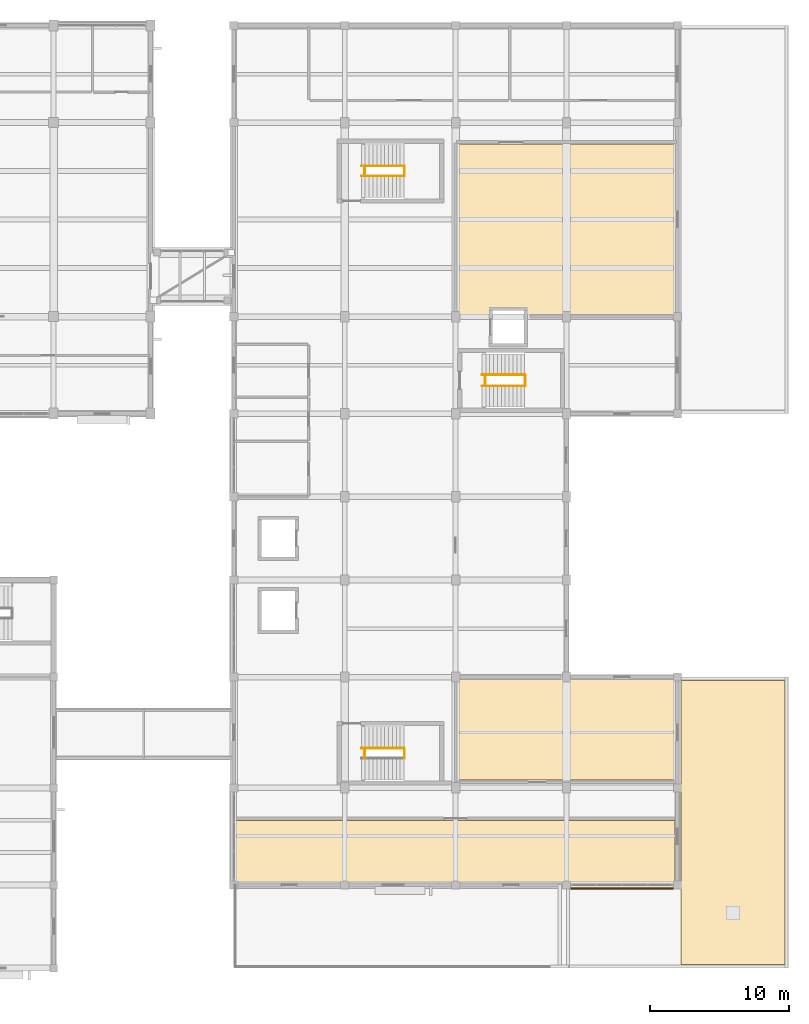
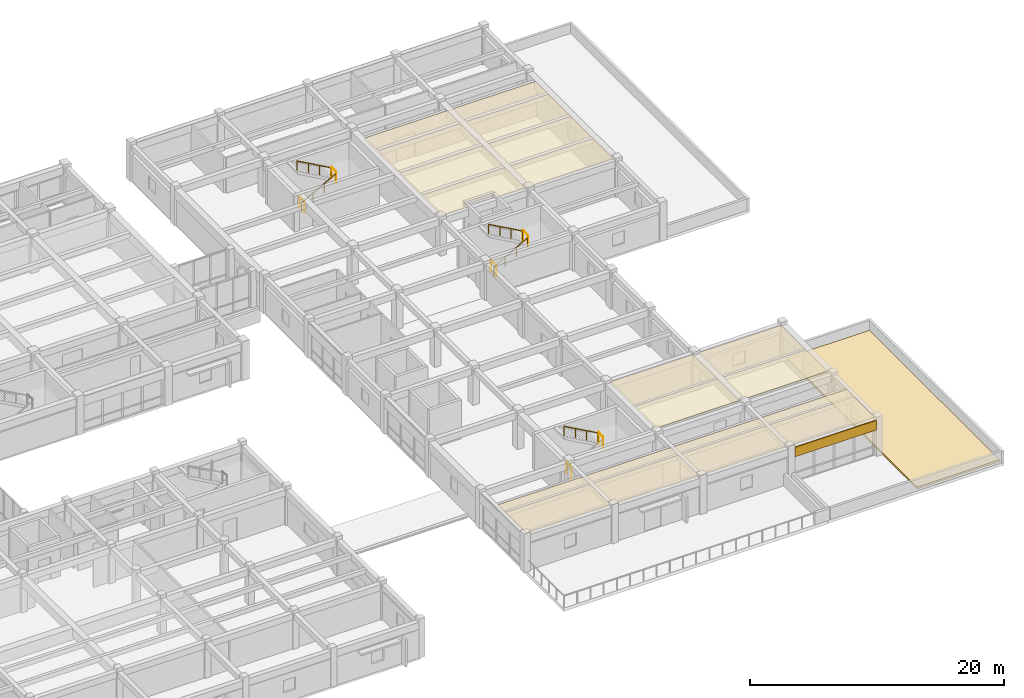
# One storey, part 41 of 42: 11 railings, 5 coverings.
"""IFC4 building model written with IfcOpenShell, lengths in metres."""

import ifcopenshell
import ifcopenshell.guid

model = None  # the IFC model being written
_history = None  # IfcOwnerHistory: only IFC2X3 demands one
_inside = {}  # id of a spatial element -> (the spatial element, [elements in it])
_under = {}  # id of a project, library or spatial element -> (it, [spatial elements below it])
_declared = {}  # id of a project -> (the project, [libraries it declares])
_typed = {}  # id of a type object -> (the type object, [elements of that type])
_made_of = {}  # id of a material, layer set ... -> (it, [elements and type objects made of it])


def new_model(schema):
    """Start an empty IFC model of exactly this schema.

    Asked for "IFC4X3", IfcOpenShell would pick the latest addendum, in which some entities
    have other attributes; the version numbers below select the first issue.
    IFC2X3 requires an IfcOwnerHistory on every rooted entity: one is made here for all.
    """
    global model, _history
    if schema == "IFC4X3":
        model = ifcopenshell.file(schema_version=(4, 3, 0, 0))
    else:
        model = ifcopenshell.file(schema=schema)
    _inside.clear()
    _under.clear()
    _declared.clear()
    _typed.clear()
    _made_of.clear()
    _history = None
    if model.schema == "IFC2X3":
        org = make("IfcOrganization", Name="unknown")
        user = make(
            "IfcPersonAndOrganization",
            ThePerson=make("IfcPerson", FamilyName="unknown"),
            TheOrganization=org,
        )
        app = make(
            "IfcApplication",
            ApplicationDeveloper=org,
            Version="unknown",
            ApplicationFullName="unknown",
            ApplicationIdentifier="unknown",
        )
        _history = make(
            "IfcOwnerHistory",
            OwningUser=user,
            OwningApplication=app,
            ChangeAction="ADDED",
            CreationDate=0,
        )
    return model


def make(cls, **values):
    """One entity of the class cls with the attributes given. An attribute that is None is left unset."""
    return model.create_entity(
        cls, **{name: value for name, value in values.items() if value is not None}
    )


def rooted(cls, **values):
    """An entity with a GlobalId (a new one), such as an element, a storey or a relation."""
    return make(cls, GlobalId=ifcopenshell.guid.new(), OwnerHistory=_history, **values)


def si_unit(unit_type, name, prefix=None):
    """IfcSIUnit, for example si_unit("LENGTHUNIT", "METRE", prefix="MILLI")."""
    return make("IfcSIUnit", UnitType=unit_type, Prefix=prefix, Name=name)


def assignment(units):
    """IfcUnitAssignment: the units of a project."""
    return None if units is None else make("IfcUnitAssignment", Units=units)


def point(xyz):
    """IfcCartesianPoint."""
    return None if xyz is None else make("IfcCartesianPoint", Coordinates=xyz)


def direction(xyz):
    """IfcDirection."""
    return None if xyz is None else make("IfcDirection", DirectionRatios=xyz)


def frame(location, z_axis=None, x_axis=None):
    """IfcAxis2Placement3D, a coordinate frame: its origin and axes. An axis left out is left unset."""
    return make(
        "IfcAxis2Placement3D",
        Location=point(location),
        Axis=direction(z_axis),
        RefDirection=direction(x_axis),
    )


def frame_2d(location, x_axis=None):
    """IfcAxis2Placement2D, a coordinate frame in the plane: its origin and x axis."""
    return make(
        "IfcAxis2Placement2D", Location=point(location), RefDirection=direction(x_axis)
    )


def origin():
    """The frame at (0, 0, 0) with its axes left unset."""
    return frame((0.0, 0.0, 0.0))


def origin_2d():
    """The frame at (0, 0) in the plane with its x axis left unset."""
    return frame_2d((0.0, 0.0))


def place(relative_to, where):
    """IfcLocalPlacement: puts the frame where relative to a parent placement (None: the world)."""
    return make(
        "IfcLocalPlacement", PlacementRelTo=relative_to, RelativePlacement=where
    )


def context(
    kind, dimensions, precision=None, world=None, true_north=None, identifier=None
):
    """IfcGeometricRepresentationContext, for example the 3D "Model" context."""
    return make(
        "IfcGeometricRepresentationContext",
        ContextIdentifier=identifier,
        ContextType=kind,
        CoordinateSpaceDimension=dimensions,
        Precision=precision,
        WorldCoordinateSystem=world,
        TrueNorth=true_north,
    )


def subcontext(parent, identifier, kind, view, scale=None):
    """IfcGeometricRepresentationSubContext, for example "Body" below "Model"."""
    return make(
        "IfcGeometricRepresentationSubContext",
        ContextIdentifier=identifier,
        ContextType=kind,
        ParentContext=parent,
        TargetScale=scale,
        TargetView=view,
    )


def project(units=None, contexts=None):
    """IfcProject with its units and contexts."""
    return rooted(
        "IfcProject",
        Name="project",
        RepresentationContexts=contexts,
        UnitsInContext=assignment(units),
    )


def spatial(cls, under=None, at=None, **own):
    """A site, building, storey or space (cls), placed at a placement, below another one or the project."""
    s = rooted(cls, ObjectPlacement=at, **own)
    if under is not None:
        _under.setdefault(under.id(), (under, []))[1].append(s)
    return s


def polyline(points):
    """IfcPolyline through the points."""
    return make("IfcPolyline", Points=[point(p) for p in points])


def profile(cls, at=None, kind="AREA", **sizes):
    """A parametric profile (cls). Its sizes go by their IFC names, for example OverallWidth=200.0."""
    return make(cls, ProfileType=kind, Position=at, **sizes)


def rectangle(**sizes):
    """IfcRectangleProfileDef."""
    return profile("IfcRectangleProfileDef", **sizes)


def circle(**sizes):
    """IfcCircleProfileDef."""
    return profile("IfcCircleProfileDef", **sizes)


def outline(outer, holes=None, kind="AREA"):
    """IfcArbitraryClosedProfileDef: a profile drawn as a closed curve; with holes, ...WithVoids."""
    if holes is None:
        return make("IfcArbitraryClosedProfileDef", ProfileType=kind, OuterCurve=outer)
    return make(
        "IfcArbitraryProfileDefWithVoids",
        ProfileType=kind,
        OuterCurve=outer,
        InnerCurves=holes,
    )


def extrude(swept, where, along, depth):
    """IfcExtrudedAreaSolid: the profile swept, set in the frame where, extruded along a direction by depth."""
    return make(
        "IfcExtrudedAreaSolid",
        SweptArea=swept,
        Position=where,
        ExtrudedDirection=direction(along),
        Depth=depth,
    )


def shape(context_of_items, identifier, shape_type, items):
    """IfcShapeRepresentation: the items that make up one representation, for example the "Body"."""
    return make(
        "IfcShapeRepresentation",
        ContextOfItems=context_of_items,
        RepresentationIdentifier=identifier,
        RepresentationType=shape_type,
        Items=items,
    )


def material(Name=None, Category=None):
    """IfcMaterial."""
    return make("IfcMaterial", Name=Name, Category=Category)


def layer(
    of_material, thickness, ventilated=None, Name=None, Category=None, Priority=None
):
    """IfcMaterialLayer: one layer of a wall or slab, of a material (None: an air gap)."""
    return make(
        "IfcMaterialLayer",
        Material=of_material,
        LayerThickness=thickness,
        IsVentilated=ventilated,
        Name=Name,
        Category=Category,
        Priority=Priority,
    )


def layer_set(layers, Name=None):
    """IfcMaterialLayerSet."""
    return make("IfcMaterialLayerSet", MaterialLayers=layers, LayerSetName=Name)


def made_of(thing, what):
    """Note that an element or type object is made of a material, layer set ...; save() writes the relation."""
    if what is not None:
        _made_of.setdefault(what.id(), (what, []))[1].append(thing)
    return thing


def type_object(cls, material=None, **own):
    """A type object (cls), such as IfcWallType, which elements share."""
    return made_of(rooted(cls, **own), material)


def element(
    cls,
    number,
    at=None,
    inside=None,
    cuts=None,
    type_object=None,
    material=None,
    context=None,
    identifier="Body",
    shape_type=None,
    held_by="IfcProductDefinitionShape",
    body=None,
    shapes=None,
    **own,
):
    """One element of the class cls, such as IfcWall. Its Tag is "e" and its number.

    at: its placement. inside: the storey or other place that contains it. cuts: it is an
    opening in that element (IfcRelVoidsElement). A single representation is given by context,
    identifier, shape_type and body (its items); several are given by shapes. held_by: the class
    of the entity that holds the representations. save() writes the other relations.
    """
    e = rooted(cls, Tag="e%d" % number, ObjectPlacement=at, **own)
    if body is not None:
        shapes = [shape(context, identifier, shape_type, body)]
    if shapes is not None:
        e.Representation = make(held_by, Representations=shapes)
    if inside is not None:
        _inside.setdefault(inside.id(), (inside, []))[1].append(e)
    if cuts is not None:
        rooted(
            "IfcRelVoidsElement", RelatingBuildingElement=cuts, RelatedOpeningElement=e
        )
    if type_object is not None:
        _typed.setdefault(type_object.id(), (type_object, []))[1].append(e)
    return made_of(e, material)


def aggregate(whole, parts):
    """IfcRelAggregates: a whole, such as a stair, and the parts it consists of."""
    return rooted("IfcRelAggregates", RelatingObject=whole, RelatedObjects=parts)


def save(model, path):
    """Write the relations noted so far, then the file.

    IfcRelAggregates (storeys below a building ...), IfcRelContainedInSpatialStructure (elements
    in a storey), IfcRelDefinesByType, IfcRelAssociatesMaterial and IfcRelDeclares: one each for
    every whole, place, type object, material and project.
    """
    for whole, parts in _under.values():
        aggregate(whole, parts)
    for where, things in _inside.values():
        rooted(
            "IfcRelContainedInSpatialStructure",
            RelatedElements=things,
            RelatingStructure=where,
        )
    for kind, things in _typed.values():
        rooted("IfcRelDefinesByType", RelatedObjects=things, RelatingType=kind)
    for what, things in _made_of.values():
        rooted("IfcRelAssociatesMaterial", RelatedObjects=things, RelatingMaterial=what)
    for by, libraries in _declared.values():
        rooted("IfcRelDeclares", RelatingContext=by, RelatedDefinitions=libraries)
    model.write(path)


model = new_model("IFC4")

# Units and contexts
model_context = context("Model", 3, precision=1e-05, world=origin(), true_north=direction((0.0, 1.0)))
body_context = subcontext(model_context, "Body", "Model", "MODEL_VIEW")
ifc_project = project(units=[si_unit("LENGTHUNIT", "METRE"), si_unit("AREAUNIT", "SQUARE_METRE"), si_unit("VOLUMEUNIT", "CUBIC_METRE"), si_unit("PLANEANGLEUNIT", "RADIAN"), si_unit("MASSUNIT", "GRAM", prefix="KILO")], contexts=[model_context])

# Site, building, storey
site_placement = place(None, origin())
site = spatial("IfcSite", under=ifc_project, at=site_placement, CompositionType="ELEMENT")
building_placement = place(site_placement, origin())
building = spatial("IfcBuilding", under=site, at=building_placement, Name="Naurynzar Civic Courthouse", CompositionType="ELEMENT")
storey_placement = place(building_placement, frame((0.0, 0.0, 18.300048828125)))
storey = spatial("IfcBuildingStorey", under=building, at=storey_placement, Name="L05", CompositionType="ELEMENT", Elevation=18.300048828125)

# Coverings
ifc_material_1 = material(Name="Acoustic Oak Timber Grade A", Category="wood")
ifc_layer_1 = layer(ifc_material_1, 0.044921875)
ifc_layer_set_1 = layer_set([ifc_layer_1], Name="CEIL-ACOUSTIC-OAK-45")
covering_type_1 = type_object("IfcCoveringType", Name="CEIL-ACOUSTIC-OAK-45", PredefinedType="CEILING", material=ifc_layer_set_1)
covering_1_placement = place(storey_placement, frame((0.0, 0.0, 3.364990234375)))
element("IfcCovering", 1, at=covering_1_placement, inside=storey, type_object=covering_type_1, Name="Acoustic suspended ceiling Serious Offences Courtroom L05-S", PredefinedType="CEILING", context=body_context, shape_type="SweptSolid", body=[
    extrude(outline(polyline([(130.159912109375, 10.159912109375), (130.159912109375, 14.639892578125), (161.840087890625, 14.639892578125), (161.840087890625, 10.159912109375), (130.159912109375, 10.159912109375)])), origin(), (0.0, 0.0, 1.0), 0.044921875),
])
covering_2_placement = place(storey_placement, frame((0.0, 0.0, 3.364990234375)))
element("IfcCovering", 2, at=covering_2_placement, inside=storey, type_object=covering_type_1, Name="Acoustic suspended ceiling Criminal Courtroom L05-N", PredefinedType="CEILING", context=body_context, shape_type="SweptSolid", body=[
    extrude(outline(polyline([(151.070068359375, 51.159912109375), (151.070068359375, 51.570068359375), (148.530029296875, 51.570068359375), (148.530029296875, 51.159912109375), (146.159912109375, 51.159912109375), (146.159912109375, 63.43994140625), (161.840087890625, 63.43994140625), (161.840087890625, 51.159912109375), (151.070068359375, 51.159912109375)])), origin(), (0.0, 0.0, 1.0), 0.044921875),
])
ifc_material_2 = material(Name="Mineral Fibre Acoustic Ceiling")
ifc_layer_2 = layer(ifc_material_2, 0.030029296875)
ifc_layer_set_2 = layer_set([ifc_layer_2], Name="CEIL-MINERAL-30")
covering_type_2 = type_object("IfcCoveringType", Name="CEIL-MINERAL-30", PredefinedType="CEILING", material=ifc_layer_set_2)
covering_3_placement = place(storey_placement, frame((0.0, 0.0, 3.364990234375)))
element("IfcCovering", 3, at=covering_3_placement, inside=storey, type_object=covering_type_2, Name="Acoustic suspended ceiling Jury Room L05-V5", PredefinedType="CEILING", context=body_context, shape_type="SweptSolid", body=[
    extrude(outline(polyline([(146.159912109375, 17.56005859375), (146.159912109375, 24.840087890625), (161.840087890625, 24.840087890625), (161.840087890625, 17.56005859375), (146.159912109375, 17.56005859375)])), origin(), (0.0, 0.0, 1.0), 0.030029296875),
])
ifc_material_3 = material(Name="Precast concrete C40/50", Category="concrete")
ifc_layer_3 = layer(ifc_material_3, 0.080078125)
ifc_layer_set_3 = layer_set([ifc_layer_3], Name="COV-CLAD-PRECAST-80")
covering_type_3 = type_object("IfcCoveringType", Name="COV-CLAD-PRECAST-80", PredefinedType="CLADDING", material=ifc_layer_set_3)
covering_4_placement = place(storey_placement, frame((158.0, 9.7451171875, 2.550048828125), z_axis=(0.0, 0.0, 1.0), x_axis=(-1.0, 0.0, 0.0)))
element("IfcCovering", 4, at=covering_4_placement, inside=storey, type_object=covering_type_3, Name="V5 precast spandrel cladding 105", PredefinedType="CLADDING", context=body_context, shape_type="SweptSolid", body=[
    extrude(rectangle(XDim=7.39990234375, YDim=0.080078125, at=origin_2d()), origin(), (0.0, 0.0, 1.0), 0.919921875),
])
ifc_material_4 = material(Name="Waterproofing Membrane and Rigid Insulation")
ifc_layer_4 = layer(ifc_material_4, 0.179931640625)
ifc_layer_set_4 = layer_set([ifc_layer_4], Name="COV-ROOF-MEMB-180")
covering_type_4 = type_object("IfcCoveringType", Name="COV-ROOF-MEMB-180", PredefinedType="ROOFING", material=ifc_layer_set_4)
covering_5_placement = place(storey_placement, origin())
element("IfcCovering", 5, at=covering_5_placement, inside=storey, type_object=covering_type_4, Name="Insulated roof waterproofing membrane RM-V5-SE5", PredefinedType="ROOFING", context=body_context, shape_type="SweptSolid", body=[
    extrude(outline(polyline([(162.25, 4.25), (169.75, 4.25), (169.75, 24.75), (162.25, 24.75), (162.25, 4.25)])), origin(), (0.0, 0.0, 1.0), 0.179931640625),
])

# Railings
ifc_material_5 = material(Name="Brushed Stainless Steel 304", Category="steel")
railing_type_1 = type_object("IfcRailingType", Name="RAIL-BAL-1100", PredefinedType="BALUSTRADE", material=ifc_material_5)
for number, where, name in (
    (6, (139.43994140625, 19.139892578125, 0.0), "Stair ST-V5A floor well slot guard L05"),
    (7, (142.320068359375, 19.139892578125, 1.875), "Stair ST-V5A-L05 half-landing well guard"),
    (8, (139.43994140625, 61.139892578125, 0.0), "Stair ST-V5B floor well slot guard L05"),
    (9, (142.320068359375, 61.139892578125, 1.875), "Stair ST-V5B-L05 half-landing well guard"),
):
    element("IfcRailing", number, at=place(storey_placement, frame(where)), inside=storey, type_object=railing_type_1, Name=name, PredefinedType="BALUSTRADE", context=body_context, shape_type="SweptSolid", body=[
        extrude(circle(Radius=0.02392578125, at=origin_2d()), frame((0.0, 0.0, 1.09619140625), z_axis=(0.0, 1.0, 0.0), x_axis=(-1.0, 0.0, 0.0)), (0.0, 0.0, 1.0), 0.72021484375),
        extrude(circle(Radius=0.02099609375, at=origin_2d()), origin(), (0.0, 0.0, 1.0), 1.072021484375),
        extrude(circle(Radius=0.02099609375, at=origin_2d()), frame((0.0, 0.72021484375, 0.0)), (0.0, 0.0, 1.0), 1.072021484375),
    ])
for number, where, name in (
    (10, (148.139892578125, 45.989990234375, 0.0), "Stair ST-CUS floor well slot guard L05"),
    (11, (151.02001953125, 45.989990234375, 1.875), "Stair ST-CUS-L05 half-landing well guard"),
):
    element("IfcRailing", number, at=place(storey_placement, frame(where)), inside=storey, type_object=railing_type_1, Name=name, PredefinedType="BALUSTRADE", context=body_context, shape_type="SweptSolid", body=[
        extrude(circle(Radius=0.02392578125, at=origin_2d()), frame((0.0, 0.0, 1.09619140625), z_axis=(0.0, 1.0, 0.0), x_axis=(-1.0, 0.0, 0.0)), (0.0, 0.0, 1.0), 0.820068359375),
        extrude(circle(Radius=0.02099609375, at=origin_2d()), origin(), (0.0, 0.0, 1.0), 1.072021484375),
        extrude(circle(Radius=0.02099609375, at=origin_2d()), frame((0.0, 0.820068359375, 0.0)), (0.0, 0.0, 1.0), 1.072021484375),
    ])
ifc_material_6 = material(Name="Brushed Stainless Steel 304", Category="steel")
railing_type_2 = type_object("IfcRailingType", Name="RAIL-HR-900", PredefinedType="HANDRAIL", material=ifc_material_6)
railing_1_placement = place(storey_placement, frame((142.280029296875, 19.860107421875, 2.03125)))
element("IfcRailing", 12, at=railing_1_placement, inside=storey, type_object=railing_type_2, Name="Stair ST-V5A-L05 flight 2 handrail", PredefinedType="HANDRAIL", context=body_context, shape_type="SweptSolid", body=[
    extrude(circle(Radius=0.02392578125, at=origin_2d()), frame((0.0, 0.0, 0.8759765625), z_axis=(-0.873241540666, 0.0, 0.487287606713), x_axis=(0.0, -1.0, 0.0)), (0.0, 0.0, 1.0), 3.527099609375),
    extrude(circle(Radius=0.02099609375, at=origin_2d()), origin(), (0.0, 0.0, 1.0), 0.851806640625),
    extrude(circle(Radius=0.02099609375, at=origin_2d()), frame((-1.026611328125, 0.0, 0.572998046875)), (0.0, 0.0, 1.0), 0.851806640625),
    extrude(circle(Radius=0.02099609375, at=origin_2d()), frame((-2.053466796875, 0.0, 1.145751953125)), (0.0, 0.0, 1.0), 0.851806640625),
    extrude(circle(Radius=0.02099609375, at=origin_2d()), frame((-3.080078125, 0.0, 1.71875)), (0.0, 0.0, 1.0), 0.851806640625),
])
railing_2_placement = place(storey_placement, frame((139.199951171875, 61.139892578125, 0.15625)))
element("IfcRailing", 13, at=railing_2_placement, inside=storey, type_object=railing_type_2, Name="Stair ST-V5B-L05 flight 1 handrail", PredefinedType="HANDRAIL", context=body_context, shape_type="SweptSolid", body=[
    extrude(circle(Radius=0.02392578125, at=origin_2d()), frame((0.0, 0.0, 0.8759765625), z_axis=(0.873241540666, 0.0, 0.487287606713), x_axis=(0.0, 1.0, 0.0)), (0.0, 0.0, 1.0), 3.527099609375),
    extrude(circle(Radius=0.02099609375, at=origin_2d()), origin(), (0.0, 0.0, 1.0), 0.851806640625),
    extrude(circle(Radius=0.02099609375, at=origin_2d()), frame((1.026611328125, 0.0, 0.572998046875)), (0.0, 0.0, 1.0), 0.851806640625),
    extrude(circle(Radius=0.02099609375, at=origin_2d()), frame((2.053466796875, 0.0, 1.145751953125)), (0.0, 0.0, 1.0), 0.851806640625),
    extrude(circle(Radius=0.02099609375, at=origin_2d()), frame((3.080078125, 0.0, 1.71875)), (0.0, 0.0, 1.0), 0.851806640625),
])
railing_3_placement = place(storey_placement, frame((142.280029296875, 61.860107421875, 2.03125)))
element("IfcRailing", 14, at=railing_3_placement, inside=storey, type_object=railing_type_2, Name="Stair ST-V5B-L05 flight 2 handrail", PredefinedType="HANDRAIL", context=body_context, shape_type="SweptSolid", body=[
    extrude(circle(Radius=0.02392578125, at=origin_2d()), frame((0.0, 0.0, 0.8759765625), z_axis=(-0.873241540666, 0.0, 0.487287606713), x_axis=(0.0, -1.0, 0.0)), (0.0, 0.0, 1.0), 3.527099609375),
    extrude(circle(Radius=0.02099609375, at=origin_2d()), origin(), (0.0, 0.0, 1.0), 0.851806640625),
    extrude(circle(Radius=0.02099609375, at=origin_2d()), frame((-1.026611328125, 0.0, 0.572998046875)), (0.0, 0.0, 1.0), 0.851806640625),
    extrude(circle(Radius=0.02099609375, at=origin_2d()), frame((-2.053466796875, 0.0, 1.145751953125)), (0.0, 0.0, 1.0), 0.851806640625),
    extrude(circle(Radius=0.02099609375, at=origin_2d()), frame((-3.080078125, 0.0, 1.71875)), (0.0, 0.0, 1.0), 0.851806640625),
])
railing_4_placement = place(storey_placement, frame((147.89990234375, 45.989990234375, 0.15625)))
element("IfcRailing", 15, at=railing_4_placement, inside=storey, type_object=railing_type_2, Name="Stair ST-CUS-L05 flight 1 handrail", PredefinedType="HANDRAIL", context=body_context, shape_type="SweptSolid", body=[
    extrude(circle(Radius=0.02392578125, at=origin_2d()), frame((0.0, 0.0, 0.8759765625), z_axis=(0.873241540666, 0.0, 0.487287606713), x_axis=(0.0, 1.0, 0.0)), (0.0, 0.0, 1.0), 3.527099609375),
    extrude(circle(Radius=0.02099609375, at=origin_2d()), origin(), (0.0, 0.0, 1.0), 0.851806640625),
    extrude(circle(Radius=0.02099609375, at=origin_2d()), frame((1.026611328125, 0.0, 0.572998046875)), (0.0, 0.0, 1.0), 0.851806640625),
    extrude(circle(Radius=0.02099609375, at=origin_2d()), frame((2.053466796875, 0.0, 1.145751953125)), (0.0, 0.0, 1.0), 0.851806640625),
    extrude(circle(Radius=0.02099609375, at=origin_2d()), frame((3.080078125, 0.0, 1.71875)), (0.0, 0.0, 1.0), 0.851806640625),
])
railing_5_placement = place(storey_placement, frame((150.97998046875, 46.81005859375, 2.03125)))
element("IfcRailing", 16, at=railing_5_placement, inside=storey, type_object=railing_type_2, Name="Stair ST-CUS-L05 flight 2 handrail", PredefinedType="HANDRAIL", context=body_context, shape_type="SweptSolid", body=[
    extrude(circle(Radius=0.02392578125, at=origin_2d()), frame((0.0, 0.0, 0.8759765625), z_axis=(-0.873241540666, 0.0, 0.487287606713), x_axis=(0.0, -1.0, 0.0)), (0.0, 0.0, 1.0), 3.527099609375),
    extrude(circle(Radius=0.02099609375, at=origin_2d()), origin(), (0.0, 0.0, 1.0), 0.851806640625),
    extrude(circle(Radius=0.02099609375, at=origin_2d()), frame((-1.026611328125, 0.0, 0.572998046875)), (0.0, 0.0, 1.0), 0.851806640625),
    extrude(circle(Radius=0.02099609375, at=origin_2d()), frame((-2.053466796875, 0.0, 1.145751953125)), (0.0, 0.0, 1.0), 0.851806640625),
    extrude(circle(Radius=0.02099609375, at=origin_2d()), frame((-3.080078125, 0.0, 1.71875)), (0.0, 0.0, 1.0), 0.851806640625),
])

save(model, "model.ifc")
